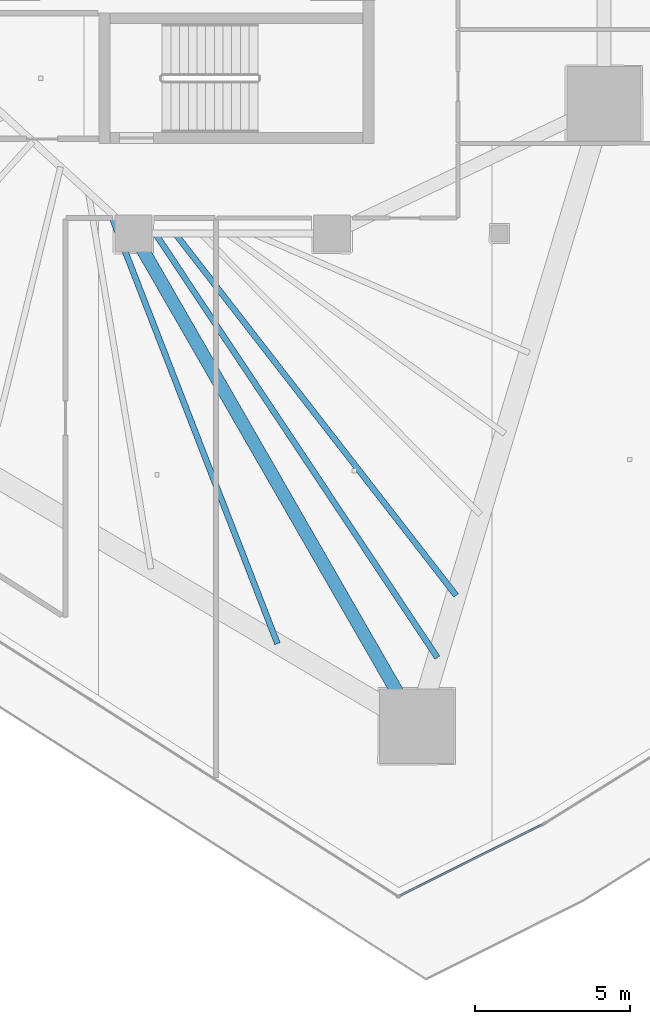
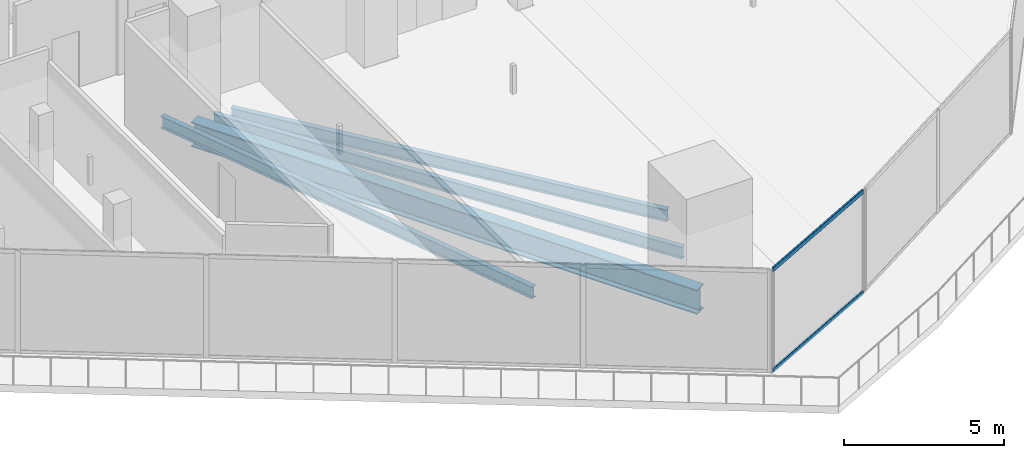
# One storey, part 9 of 44: 4 beams, 2 members, 1 element without a shape of its own.
"""IFC4 building model written with IfcOpenShell, lengths in metres."""

from ifc_helpers import new_model, si_unit, direction, frame, origin, origin_2d, place, context, subcontext, project, spatial, hollow_rectangle, i_section, extrude, material, layer, layer_set, material_profile, profile_set, type_object, element, aggregate, save


model = new_model("IFC4")

# Units and contexts
model_context = context("Model", 3, precision=1e-05, world=origin(), true_north=direction((0.0, 1.0)))
body_context = subcontext(model_context, "Body", "Model", "MODEL_VIEW")
ifc_project = project(units=[si_unit("LENGTHUNIT", "METRE"), si_unit("AREAUNIT", "SQUARE_METRE"), si_unit("VOLUMEUNIT", "CUBIC_METRE"), si_unit("PLANEANGLEUNIT", "RADIAN"), si_unit("MASSUNIT", "GRAM", prefix="KILO")], contexts=[model_context])

# Site, building, storey
site_placement = place(None, origin())
site = spatial("IfcSite", under=ifc_project, at=site_placement, CompositionType="ELEMENT")
building_placement = place(site_placement, origin())
building = spatial("IfcBuilding", under=site, at=building_placement, Name="Qorvath Tower", CompositionType="ELEMENT")
storey_placement = place(building_placement, frame((0.0, 0.0, 57.60009765625)))
storey = spatial("IfcBuildingStorey", under=building, at=storey_placement, Name="L12", CompositionType="ELEMENT", Elevation=57.60009765625)

# Beams
ifc_material_1 = material(Name="Steel ASTM A992 Grade 50", Category="steel")
ifc_material_profile_1 = material_profile(ifc_material_1, i_section(OverallWidth=0.422119140625, OverallDepth=0.93310546875, WebThickness=0.021240234375, FlangeThickness=0.039794921875, FilletRadius=0.02392578125, at=origin_2d()), Name="W36x262")
ifc_profile_set_1 = profile_set([ifc_material_profile_1], Name="Steel ASTM A992 Grade 50")
beam_type_1 = type_object("IfcBeamType", Name="BM-FG1", PredefinedType="BEAM", material=ifc_profile_set_1)
beam_1_placement = place(storey_placement, frame((-23.60009765625, -11.449951171875, -0.74658203125), z_axis=(0.498645367714, -0.866806089767, 0.0), x_axis=(0.866806089767, 0.498645367714, 0.0)))
element("IfcBeam", 1, at=beam_1_placement, inside=storey, type_object=beam_type_1, Name="Radial Floor Girder CC4-MC3 L12", PredefinedType="BEAM", context=body_context, shape_type="SweptSolid", body=[
    extrude(i_section(OverallWidth=0.422119140625, OverallDepth=0.93310546875, WebThickness=0.021240234375, FlangeThickness=0.039794921875, FilletRadius=0.02392578125, at=origin_2d()), origin(), (0.0, 0.0, 1.0), 18.321044921875),
])
ifc_material_2 = material(Name="Steel ASTM A992 Grade 50", Category="steel")
ifc_material_profile_2 = material_profile(ifc_material_2, i_section(OverallWidth=0.18994140625, OverallDepth=0.45703125, WebThickness=0.009033203125, FlangeThickness=0.014404296875, FilletRadius=0.011962890625, at=origin_2d()), Name="W18x50")
ifc_profile_set_2 = profile_set([ifc_material_profile_2], Name="Steel ASTM A992 Grade 50")
beam_type_2 = type_object("IfcBeamType", Name="BM-FJ2", PredefinedType="JOIST", material=ifc_profile_set_2)
beam_2_placement = place(storey_placement, frame((-22.256103515625, -11.449951171875, -0.508544921875), z_axis=(0.613206963859, -0.789922286984, 0.0), x_axis=(0.789922286984, 0.613206963859, 0.0)))
element("IfcBeam", 2, at=beam_2_placement, inside=storey, type_object=beam_type_2, Name="Composite Floor Joist SE6 L12", PredefinedType="JOIST", context=body_context, shape_type="SweptSolid", body=[
    extrude(i_section(OverallWidth=0.18994140625, OverallDepth=0.45703125, WebThickness=0.009033203125, FlangeThickness=0.014404296875, FilletRadius=0.011962890625, at=origin_2d()), origin(), (0.0, 0.0, 1.0), 14.77294921875),
])
beam_3_placement = place(storey_placement, frame((-22.89599609375, -11.449951171875, -0.508544921875), z_axis=(0.553811384989, -0.83264214994, 0.0), x_axis=(0.83264214994, 0.553811384989, 0.0)))
element("IfcBeam", 3, at=beam_3_placement, inside=storey, type_object=beam_type_2, Name="Composite Floor Joist SE7 L12", PredefinedType="JOIST", context=body_context, shape_type="SweptSolid", body=[
    extrude(i_section(OverallWidth=0.18994140625, OverallDepth=0.45703125, WebThickness=0.009033203125, FlangeThickness=0.014404296875, FilletRadius=0.011962890625, at=origin_2d()), origin(), (0.0, 0.0, 1.0), 16.42333984375),
])
beam_4_placement = place(storey_placement, frame((-24.35888671875, -10.757080078125, -0.508544921875), z_axis=(0.361964096586, -0.93219203643, 0.0), x_axis=(0.93219203643, 0.361964096586, 0.0)))
element("IfcBeam", 4, at=beam_4_placement, inside=storey, type_object=beam_type_2, Name="Composite Floor Joist SW7 L12", PredefinedType="JOIST", context=body_context, shape_type="SweptSolid", body=[
    extrude(i_section(OverallWidth=0.18994140625, OverallDepth=0.45703125, WebThickness=0.009033203125, FlangeThickness=0.014404296875, FilletRadius=0.011962890625, at=origin_2d()), origin(), (0.0, 0.0, 1.0), 14.93115234375),
])

# Curtain wall, members
ifc_material_3 = material(Name="Anodised aluminium and triple low-E glass", Category="aluminium")
ifc_layer = layer(ifc_material_3, 0.179931640625)
ifc_layer_set = layer_set([ifc_layer], Name="CW-SYS-2")
curtain_wall_type = type_object("IfcCurtainWallType", Name="CW-SYS-2", PredefinedType="NOTDEFINED", material=ifc_layer_set)
curtain_wall_placement = place(storey_placement, origin())
curtain_wall = element("IfcCurtainWall", 5, at=curtain_wall_placement, inside=storey, type_object=curtain_wall_type, Name="Curtain Wall CW-2 CW-T-L12-3.1", PredefinedType="NOTDEFINED")
ifc_material_4 = material(Name="Anodised aluminium 6063-T6", Category="aluminium")
ifc_material_profile_3 = material_profile(ifc_material_4, hollow_rectangle(XDim=0.06494140625, YDim=0.159912109375, WallThickness=0.00341796875, InnerFilletRadius=0.00341796875, OuterFilletRadius=0.007080078125, at=origin_2d()), Name="CWT 160x65")
ifc_profile_set_3 = profile_set([ifc_material_profile_3], Name="Anodised aluminium 6063-T6")
member_type = type_object("IfcMemberType", Name="CWT-160", PredefinedType="USERDEFINED", material=ifc_profile_set_3)
member_1_placement = place(storey_placement, frame((-15.0, -32.796875, 0.032470703125), z_axis=(0.894427191, 0.4472135955, 0.0), x_axis=(-0.4472135955, 0.894427191, 0.0)))
member_1 = element("IfcMember", 6, at=member_1_placement, type_object=member_type, Name="CW-2 transom 1.1", ObjectType="TRANSOM", PredefinedType="USERDEFINED", context=body_context, shape_type="SweptSolid", body=[
    extrude(hollow_rectangle(XDim=0.06494140625, YDim=0.159912109375, WallThickness=0.00341796875, InnerFilletRadius=0.00341796875, OuterFilletRadius=0.007080078125, at=origin_2d()), origin(), (0.0, 0.0, 1.0), 5.113037109375),
])
member_2_placement = place(storey_placement, frame((-15.0, -32.796875, 3.887451171875), z_axis=(0.894427191, 0.4472135955, 0.0), x_axis=(-0.4472135955, 0.894427191, 0.0)))
member_2 = element("IfcMember", 7, at=member_2_placement, type_object=member_type, Name="CW-2 transom 1.2", ObjectType="TRANSOM", PredefinedType="USERDEFINED", context=body_context, shape_type="SweptSolid", body=[
    extrude(hollow_rectangle(XDim=0.06494140625, YDim=0.159912109375, WallThickness=0.00341796875, InnerFilletRadius=0.00341796875, OuterFilletRadius=0.007080078125, at=origin_2d()), origin(), (0.0, 0.0, 1.0), 5.113037109375),
])
aggregate(curtain_wall, [member_1, member_2])

save(model, "model.ifc")
